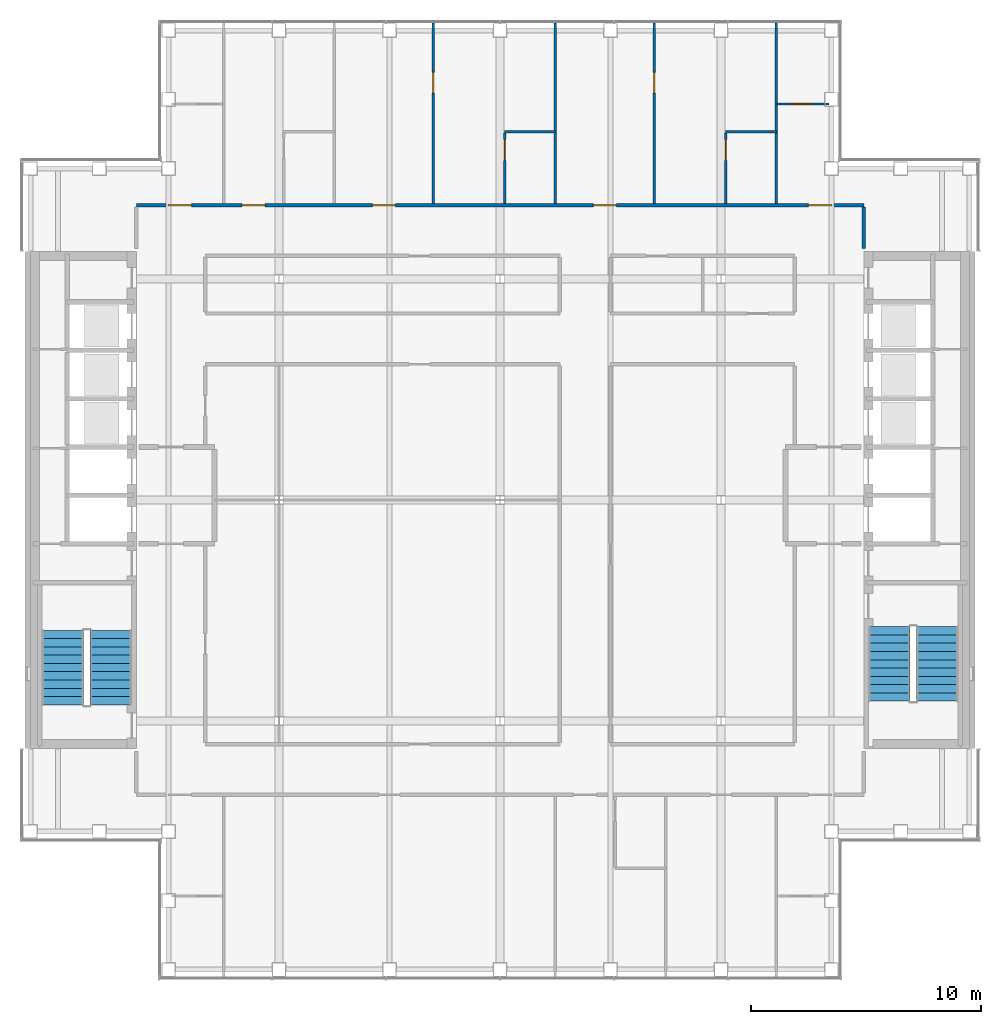
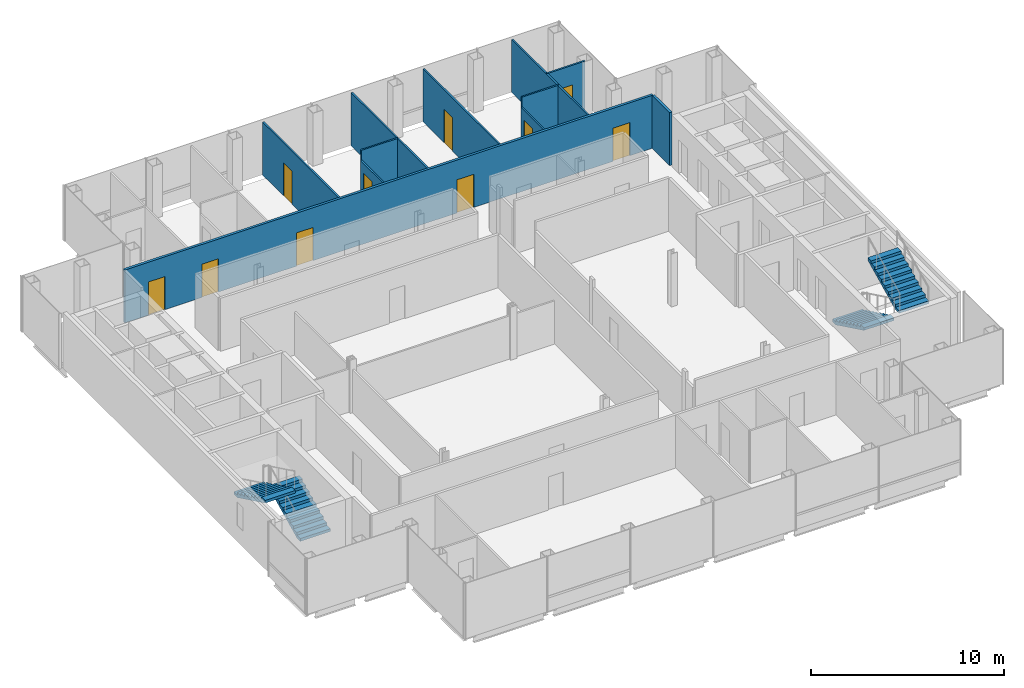
# One storey, part 13 of 15: 11 walls, 10 doors, 4 stair flights, 10 openings, 2 elements without a shape of their own.
"""IFC4 building model written with IfcOpenShell, lengths in metres."""

import ifcopenshell
import ifcopenshell.guid

model = None  # the IFC model being written
_history = None  # IfcOwnerHistory: only IFC2X3 demands one
_inside = {}  # id of a spatial element -> (the spatial element, [elements in it])
_under = {}  # id of a project, library or spatial element -> (it, [spatial elements below it])
_declared = {}  # id of a project -> (the project, [libraries it declares])
_typed = {}  # id of a type object -> (the type object, [elements of that type])
_made_of = {}  # id of a material, layer set ... -> (it, [elements and type objects made of it])


def new_model(schema):
    """Start an empty IFC model of exactly this schema.

    Asked for "IFC4X3", IfcOpenShell would pick the latest addendum, in which some entities
    have other attributes; the version numbers below select the first issue.
    IFC2X3 requires an IfcOwnerHistory on every rooted entity: one is made here for all.
    """
    global model, _history
    if schema == "IFC4X3":
        model = ifcopenshell.file(schema_version=(4, 3, 0, 0))
    else:
        model = ifcopenshell.file(schema=schema)
    _inside.clear()
    _under.clear()
    _declared.clear()
    _typed.clear()
    _made_of.clear()
    _history = None
    if model.schema == "IFC2X3":
        org = make("IfcOrganization", Name="unknown")
        user = make(
            "IfcPersonAndOrganization",
            ThePerson=make("IfcPerson", FamilyName="unknown"),
            TheOrganization=org,
        )
        app = make(
            "IfcApplication",
            ApplicationDeveloper=org,
            Version="unknown",
            ApplicationFullName="unknown",
            ApplicationIdentifier="unknown",
        )
        _history = make(
            "IfcOwnerHistory",
            OwningUser=user,
            OwningApplication=app,
            ChangeAction="ADDED",
            CreationDate=0,
        )
    return model


def make(cls, **values):
    """One entity of the class cls with the attributes given. An attribute that is None is left unset."""
    return model.create_entity(
        cls, **{name: value for name, value in values.items() if value is not None}
    )


def rooted(cls, **values):
    """An entity with a GlobalId (a new one), such as an element, a storey or a relation."""
    return make(cls, GlobalId=ifcopenshell.guid.new(), OwnerHistory=_history, **values)


def si_unit(unit_type, name, prefix=None):
    """IfcSIUnit, for example si_unit("LENGTHUNIT", "METRE", prefix="MILLI")."""
    return make("IfcSIUnit", UnitType=unit_type, Prefix=prefix, Name=name)


def assignment(units):
    """IfcUnitAssignment: the units of a project."""
    return None if units is None else make("IfcUnitAssignment", Units=units)


def point(xyz):
    """IfcCartesianPoint."""
    return None if xyz is None else make("IfcCartesianPoint", Coordinates=xyz)


def direction(xyz):
    """IfcDirection."""
    return None if xyz is None else make("IfcDirection", DirectionRatios=xyz)


def frame(location, z_axis=None, x_axis=None):
    """IfcAxis2Placement3D, a coordinate frame: its origin and axes. An axis left out is left unset."""
    return make(
        "IfcAxis2Placement3D",
        Location=point(location),
        Axis=direction(z_axis),
        RefDirection=direction(x_axis),
    )


def frame_2d(location, x_axis=None):
    """IfcAxis2Placement2D, a coordinate frame in the plane: its origin and x axis."""
    return make(
        "IfcAxis2Placement2D", Location=point(location), RefDirection=direction(x_axis)
    )


def origin():
    """The frame at (0, 0, 0) with its axes left unset."""
    return frame((0.0, 0.0, 0.0))


def place(relative_to, where):
    """IfcLocalPlacement: puts the frame where relative to a parent placement (None: the world)."""
    return make(
        "IfcLocalPlacement", PlacementRelTo=relative_to, RelativePlacement=where
    )


def context(
    kind, dimensions, precision=None, world=None, true_north=None, identifier=None
):
    """IfcGeometricRepresentationContext, for example the 3D "Model" context."""
    return make(
        "IfcGeometricRepresentationContext",
        ContextIdentifier=identifier,
        ContextType=kind,
        CoordinateSpaceDimension=dimensions,
        Precision=precision,
        WorldCoordinateSystem=world,
        TrueNorth=true_north,
    )


def subcontext(parent, identifier, kind, view, scale=None):
    """IfcGeometricRepresentationSubContext, for example "Body" below "Model"."""
    return make(
        "IfcGeometricRepresentationSubContext",
        ContextIdentifier=identifier,
        ContextType=kind,
        ParentContext=parent,
        TargetScale=scale,
        TargetView=view,
    )


def project(units=None, contexts=None):
    """IfcProject with its units and contexts."""
    return rooted(
        "IfcProject",
        Name="project",
        RepresentationContexts=contexts,
        UnitsInContext=assignment(units),
    )


def spatial(cls, under=None, at=None, **own):
    """A site, building, storey or space (cls), placed at a placement, below another one or the project."""
    s = rooted(cls, ObjectPlacement=at, **own)
    if under is not None:
        _under.setdefault(under.id(), (under, []))[1].append(s)
    return s


def polyline(points):
    """IfcPolyline through the points."""
    return make("IfcPolyline", Points=[point(p) for p in points])


def profile(cls, at=None, kind="AREA", **sizes):
    """A parametric profile (cls). Its sizes go by their IFC names, for example OverallWidth=200.0."""
    return make(cls, ProfileType=kind, Position=at, **sizes)


def rectangle(**sizes):
    """IfcRectangleProfileDef."""
    return profile("IfcRectangleProfileDef", **sizes)


def outline(outer, holes=None, kind="AREA"):
    """IfcArbitraryClosedProfileDef: a profile drawn as a closed curve; with holes, ...WithVoids."""
    if holes is None:
        return make("IfcArbitraryClosedProfileDef", ProfileType=kind, OuterCurve=outer)
    return make(
        "IfcArbitraryProfileDefWithVoids",
        ProfileType=kind,
        OuterCurve=outer,
        InnerCurves=holes,
    )


def extrude(swept, where, along, depth):
    """IfcExtrudedAreaSolid: the profile swept, set in the frame where, extruded along a direction by depth."""
    return make(
        "IfcExtrudedAreaSolid",
        SweptArea=swept,
        Position=where,
        ExtrudedDirection=direction(along),
        Depth=depth,
    )


def shape(context_of_items, identifier, shape_type, items):
    """IfcShapeRepresentation: the items that make up one representation, for example the "Body"."""
    return make(
        "IfcShapeRepresentation",
        ContextOfItems=context_of_items,
        RepresentationIdentifier=identifier,
        RepresentationType=shape_type,
        Items=items,
    )


def material(Name=None, Category=None):
    """IfcMaterial."""
    return make("IfcMaterial", Name=Name, Category=Category)


def layer(
    of_material, thickness, ventilated=None, Name=None, Category=None, Priority=None
):
    """IfcMaterialLayer: one layer of a wall or slab, of a material (None: an air gap)."""
    return make(
        "IfcMaterialLayer",
        Material=of_material,
        LayerThickness=thickness,
        IsVentilated=ventilated,
        Name=Name,
        Category=Category,
        Priority=Priority,
    )


def layer_set(layers, Name=None):
    """IfcMaterialLayerSet."""
    return make("IfcMaterialLayerSet", MaterialLayers=layers, LayerSetName=Name)


def made_of(thing, what):
    """Note that an element or type object is made of a material, layer set ...; save() writes the relation."""
    if what is not None:
        _made_of.setdefault(what.id(), (what, []))[1].append(thing)
    return thing


def type_object(cls, material=None, **own):
    """A type object (cls), such as IfcWallType, which elements share."""
    return made_of(rooted(cls, **own), material)


def element(
    cls,
    number,
    at=None,
    inside=None,
    cuts=None,
    type_object=None,
    material=None,
    context=None,
    identifier="Body",
    shape_type=None,
    held_by="IfcProductDefinitionShape",
    body=None,
    shapes=None,
    **own,
):
    """One element of the class cls, such as IfcWall. Its Tag is "e" and its number.

    at: its placement. inside: the storey or other place that contains it. cuts: it is an
    opening in that element (IfcRelVoidsElement). A single representation is given by context,
    identifier, shape_type and body (its items); several are given by shapes. held_by: the class
    of the entity that holds the representations. save() writes the other relations.
    """
    e = rooted(cls, Tag="e%d" % number, ObjectPlacement=at, **own)
    if body is not None:
        shapes = [shape(context, identifier, shape_type, body)]
    if shapes is not None:
        e.Representation = make(held_by, Representations=shapes)
    if inside is not None:
        _inside.setdefault(inside.id(), (inside, []))[1].append(e)
    if cuts is not None:
        rooted(
            "IfcRelVoidsElement", RelatingBuildingElement=cuts, RelatedOpeningElement=e
        )
    if type_object is not None:
        _typed.setdefault(type_object.id(), (type_object, []))[1].append(e)
    return made_of(e, material)


def fill(opening, filler):
    """IfcRelFillsElement: the door or window that sits in an opening."""
    return rooted(
        "IfcRelFillsElement",
        RelatingOpeningElement=opening,
        RelatedBuildingElement=filler,
    )


def aggregate(whole, parts):
    """IfcRelAggregates: a whole, such as a stair, and the parts it consists of."""
    return rooted("IfcRelAggregates", RelatingObject=whole, RelatedObjects=parts)


def save(model, path):
    """Write the relations noted so far, then the file.

    IfcRelAggregates (storeys below a building ...), IfcRelContainedInSpatialStructure (elements
    in a storey), IfcRelDefinesByType, IfcRelAssociatesMaterial and IfcRelDeclares: one each for
    every whole, place, type object, material and project.
    """
    for whole, parts in _under.values():
        aggregate(whole, parts)
    for where, things in _inside.values():
        rooted(
            "IfcRelContainedInSpatialStructure",
            RelatedElements=things,
            RelatingStructure=where,
        )
    for kind, things in _typed.values():
        rooted("IfcRelDefinesByType", RelatedObjects=things, RelatingType=kind)
    for what, things in _made_of.values():
        rooted("IfcRelAssociatesMaterial", RelatedObjects=things, RelatingMaterial=what)
    for by, libraries in _declared.values():
        rooted("IfcRelDeclares", RelatingContext=by, RelatedDefinitions=libraries)
    model.write(path)


model = new_model("IFC4")

# Units and contexts
model_context = context("Model", 3, precision=1e-05, world=origin(), true_north=direction((0.0, 1.0)))
body_context = subcontext(model_context, "Body", "Model", "MODEL_VIEW")
ifc_project = project(units=[si_unit("LENGTHUNIT", "METRE"), si_unit("AREAUNIT", "SQUARE_METRE"), si_unit("VOLUMEUNIT", "CUBIC_METRE"), si_unit("PLANEANGLEUNIT", "RADIAN"), si_unit("MASSUNIT", "GRAM", prefix="KILO")], contexts=[model_context])

# Site, building, storey
site_placement = place(None, origin())
site = spatial("IfcSite", under=ifc_project, at=site_placement, CompositionType="ELEMENT")
building_placement = place(site_placement, origin())
building = spatial("IfcBuilding", under=site, at=building_placement, Name="Cobrizo Arcos Hotel Tower", CompositionType="ELEMENT")
storey_placement = place(building_placement, frame((0.0, 0.0, 251.5)))
storey = spatial("IfcBuildingStorey", under=building, at=storey_placement, Name="L66", CompositionType="ELEMENT", Elevation=251.5)

# Wall, openings, doors
ifc_material_1 = material(Name="Gypsum board partition")
ifc_layer_1 = layer(ifc_material_1, 0.14990234375)
ifc_layer_set_1 = layer_set([ifc_layer_1], Name="Corridor wall EI 60 150")
wall_type_1 = type_object("IfcWallType", Name="Corridor wall EI 60 150", PredefinedType="PARTITIONING", material=ifc_layer_set_1)
wall_1_placement = place(storey_placement, frame((-15.800048828125, 12.800048828125, 0.0), z_axis=(0.0, 0.0, 1.0), x_axis=(1.0, 0.0, 0.0)))
wall_1 = element("IfcWall", 1, at=wall_1_placement, inside=storey, type_object=wall_type_1, Name="Partition 040", PredefinedType="PARTITIONING", context=body_context, shape_type="SweptSolid", body=[
    extrude(rectangle(XDim=31.60009765625, YDim=0.14990234375, at=frame_2d((15.800048828125, 0.0))), origin(), (0.0, 0.0, 1.0), 3.35009765625),
])
opening_1_placement = place(wall_1_placement, frame((4.60009765625, 0.0, 0.0)))
opening_1 = element("IfcOpeningElement", 2, at=opening_1_placement, cuts=wall_1, Name="Opening GD-01", PredefinedType="OPENING", context=body_context, shape_type="SweptSolid", body=[
    extrude(rectangle(XDim=1.0, YDim=2.10009765625, at=frame_2d((0.5, 1.050048828125))), frame((0.0, 0.0869140625, 0.0), z_axis=(0.0, -1.0, 0.0), x_axis=(1.0, 0.0, 0.0)), (0.0, 0.0, 1.0), 0.173828125),
])
opening_2_placement = place(wall_1_placement, frame((10.260009765625, 0.0, 0.0)))
opening_2 = element("IfcOpeningElement", 3, at=opening_2_placement, cuts=wall_1, Name="Opening GD-02", PredefinedType="OPENING", context=body_context, shape_type="SweptSolid", body=[
    extrude(rectangle(XDim=1.0, YDim=2.10009765625, at=frame_2d((0.5, 1.050048828125))), frame((0.0, 0.0869140625, 0.0), z_axis=(0.0, -1.0, 0.0), x_axis=(1.0, 0.0, 0.0)), (0.0, 0.0, 1.0), 0.173828125),
])
opening_3_placement = place(wall_1_placement, frame((19.860107421875, 0.0, 0.0)))
opening_3 = element("IfcOpeningElement", 4, at=opening_3_placement, cuts=wall_1, Name="Opening GD-03", PredefinedType="OPENING", context=body_context, shape_type="SweptSolid", body=[
    extrude(rectangle(XDim=1.0, YDim=2.10009765625, at=frame_2d((0.5, 1.050048828125))), frame((0.0, 0.0869140625, 0.0), z_axis=(0.0, -1.0, 0.0), x_axis=(1.0, 0.0, 0.0)), (0.0, 0.0, 1.0), 0.173828125),
])
opening_4_placement = place(wall_1_placement, frame((1.39990234375, 0.0, 0.0)))
opening_4 = element("IfcOpeningElement", 5, at=opening_4_placement, cuts=wall_1, Name="Opening GD-06", PredefinedType="OPENING", context=body_context, shape_type="SweptSolid", body=[
    extrude(rectangle(XDim=1.0, YDim=2.10009765625, at=frame_2d((0.5, 1.050048828125))), frame((0.0, 0.0869140625, 0.0), z_axis=(0.0, -1.0, 0.0), x_axis=(1.0, 0.0, 0.0)), (0.0, 0.0, 1.0), 0.173828125),
])
opening_5_placement = place(wall_1_placement, frame((29.199951171875, 0.0, 0.0)))
opening_5 = element("IfcOpeningElement", 6, at=opening_5_placement, cuts=wall_1, Name="Opening GD-08", PredefinedType="OPENING", context=body_context, shape_type="SweptSolid", body=[
    extrude(rectangle(XDim=1.0, YDim=2.10009765625, at=frame_2d((0.5, 1.050048828125))), frame((0.0, 0.0869140625, 0.0), z_axis=(0.0, -1.0, 0.0), x_axis=(1.0, 0.0, 0.0)), (0.0, 0.0, 1.0), 0.173828125),
])
ifc_material_2 = material(Name="Timber door leaf", Category="wood")
door_type_1 = type_object("IfcDoorType", Name="Guest room door FD30S 1000x2100", OperationType="SINGLE_SWING_LEFT", PredefinedType="DOOR", material=ifc_material_2)
door_1_placement = place(opening_1_placement, origin())
door_1 = element("IfcDoor", 7, at=door_1_placement, inside=storey, type_object=door_type_1, Name="Door GD-01", OperationType="SINGLE_SWING_RIGHT", OverallHeight=2.10009765625, OverallWidth=1.0, PredefinedType="DOOR", context=body_context, shape_type="SweptSolid", body=[
    extrude(rectangle(XDim=1.0, YDim=2.10009765625, at=frame_2d((0.5, 1.050048828125))), frame((0.0, 0.02490234375, 0.0), z_axis=(0.0, -1.0, 0.0), x_axis=(1.0, 0.0, 0.0)), (0.0, 0.0, 1.0), 0.050048828125),
])
fill(opening_1, door_1)
door_2_placement = place(opening_2_placement, origin())
door_2 = element("IfcDoor", 8, at=door_2_placement, inside=storey, type_object=door_type_1, Name="Door GD-02", OperationType="SINGLE_SWING_RIGHT", OverallHeight=2.10009765625, OverallWidth=1.0, PredefinedType="DOOR", context=body_context, shape_type="SweptSolid", body=[
    extrude(rectangle(XDim=1.0, YDim=2.10009765625, at=frame_2d((0.5, 1.050048828125))), frame((0.0, 0.02490234375, 0.0), z_axis=(0.0, -1.0, 0.0), x_axis=(1.0, 0.0, 0.0)), (0.0, 0.0, 1.0), 0.050048828125),
])
fill(opening_2, door_2)
door_3_placement = place(opening_3_placement, origin())
door_3 = element("IfcDoor", 9, at=door_3_placement, inside=storey, type_object=door_type_1, Name="Door GD-03", OperationType="SINGLE_SWING_RIGHT", OverallHeight=2.10009765625, OverallWidth=1.0, PredefinedType="DOOR", context=body_context, shape_type="SweptSolid", body=[
    extrude(rectangle(XDim=1.0, YDim=2.10009765625, at=frame_2d((0.5, 1.050048828125))), frame((0.0, 0.02490234375, 0.0), z_axis=(0.0, -1.0, 0.0), x_axis=(1.0, 0.0, 0.0)), (0.0, 0.0, 1.0), 0.050048828125),
])
fill(opening_3, door_3)
door_4_placement = place(opening_4_placement, origin())
door_4 = element("IfcDoor", 10, at=door_4_placement, inside=storey, type_object=door_type_1, Name="Door GD-06", OperationType="SINGLE_SWING_RIGHT", OverallHeight=2.10009765625, OverallWidth=1.0, PredefinedType="DOOR", context=body_context, shape_type="SweptSolid", body=[
    extrude(rectangle(XDim=1.0, YDim=2.10009765625, at=frame_2d((0.5, 1.050048828125))), frame((0.0, 0.02490234375, 0.0), z_axis=(0.0, -1.0, 0.0), x_axis=(1.0, 0.0, 0.0)), (0.0, 0.0, 1.0), 0.050048828125),
])
fill(opening_4, door_4)
door_5_placement = place(opening_5_placement, origin())
door_5 = element("IfcDoor", 11, at=door_5_placement, inside=storey, type_object=door_type_1, Name="Door GD-08", OperationType="SINGLE_SWING_RIGHT", OverallHeight=2.10009765625, OverallWidth=1.0, PredefinedType="DOOR", context=body_context, shape_type="SweptSolid", body=[
    extrude(rectangle(XDim=1.0, YDim=2.10009765625, at=frame_2d((0.5, 1.050048828125))), frame((0.0, 0.02490234375, 0.0), z_axis=(0.0, -1.0, 0.0), x_axis=(1.0, 0.0, 0.0)), (0.0, 0.0, 1.0), 0.050048828125),
])
fill(opening_5, door_5)

# Walls
wall_2_placement = place(storey_placement, frame((15.800048828125, 10.919921875, 0.0), z_axis=(0.0, 0.0, 1.0), x_axis=(0.0, 1.0, 0.0)))
element("IfcWall", 12, at=wall_2_placement, inside=storey, type_object=wall_type_1, Name="Partition 090", PredefinedType="PARTITIONING", context=body_context, shape_type="SweptSolid", body=[
    extrude(rectangle(XDim=1.80517578125, YDim=0.14990234375, at=frame_2d((0.902587890625, 0.0))), origin(), (0.0, 0.0, 1.0), 3.35009765625),
])
ifc_layer_2 = layer(ifc_material_1, 0.10009765625)
ifc_layer_set_2 = layer_set([ifc_layer_2], Name="Partition EI 30 100")
wall_type_2 = type_object("IfcWallType", Name="Partition EI 30 100", PredefinedType="PARTITIONING", material=ifc_layer_set_2)
for number, where, z_axis, x_axis, name in (
    (13, (0.199951171875, 16.0, 0.0), (0.0, 0.0, 1.0), (1.0, 0.0, 0.0), "Partition 042"),
    (14, (9.800048828125, 16.0, 0.0), (0.0, 0.0, 1.0), (1.0, 0.0, 0.0), "Partition 043"),
):
    element("IfcWall", number, at=place(storey_placement, frame(where, z_axis=z_axis, x_axis=x_axis)), inside=storey, type_object=wall_type_2, Name=name, PredefinedType="PARTITIONING", context=body_context, shape_type="SweptSolid", body=[
        extrude(rectangle(XDim=2.199951171875, YDim=0.10009765625, at=frame_2d((1.10009765625, 0.0))), origin(), (0.0, 0.0, 1.0), 3.35009765625),
    ])

# Wall, opening, door
wall_3_placement = place(storey_placement, frame((12.0, 17.199951171875, 0.0), z_axis=(0.0, 0.0, 1.0), x_axis=(1.0, 0.0, 0.0)))
wall_3 = element("IfcWall", 15, at=wall_3_placement, inside=storey, type_object=wall_type_2, Name="Partition 045", PredefinedType="PARTITIONING", context=body_context, shape_type="SweptSolid", body=[
    extrude(rectangle(XDim=2.280029296875, YDim=0.10009765625, at=frame_2d((1.14013671875, 0.0))), origin(), (0.0, 0.0, 1.0), 3.35009765625),
])
opening_6_placement = place(wall_3_placement, frame((0.6298828125, 0.0, 0.0)))
opening_6 = element("IfcOpeningElement", 16, at=opening_6_placement, cuts=wall_3, Name="Opening ED-09", PredefinedType="OPENING", context=body_context, shape_type="SweptSolid", body=[
    extrude(rectangle(XDim=0.89990234375, YDim=2.10009765625, at=frame_2d((0.449951171875, 1.050048828125))), frame((0.0, 0.06201171875, 0.0), z_axis=(0.0, -1.0, 0.0), x_axis=(1.0, 0.0, 0.0)), (0.0, 0.0, 1.0), 0.1240234375),
])
door_type_2 = type_object("IfcDoorType", Name="En-suite door 900x2100", OperationType="SINGLE_SWING_LEFT", PredefinedType="DOOR", material=ifc_material_2)
door_6_placement = place(opening_6_placement, origin())
door_6 = element("IfcDoor", 17, at=door_6_placement, inside=storey, type_object=door_type_2, Name="Door ED-09", OperationType="SINGLE_SWING_LEFT", OverallHeight=2.10009765625, OverallWidth=0.89990234375, PredefinedType="DOOR", context=body_context, shape_type="SweptSolid", body=[
    extrude(rectangle(XDim=0.89990234375, YDim=2.10009765625, at=frame_2d((0.449951171875, 1.050048828125))), frame((0.0, 0.02490234375, 0.0), z_axis=(0.0, -1.0, 0.0), x_axis=(1.0, 0.0, 0.0)), (0.0, 0.0, 1.0), 0.050048828125),
])
fill(opening_6, door_6)

wall_4_placement = place(storey_placement, frame((-2.89990234375, 12.875, 0.0), z_axis=(0.0, 0.0, 1.0), x_axis=(0.0, 1.0, 0.0)))
wall_4 = element("IfcWall", 18, at=wall_4_placement, inside=storey, type_object=wall_type_2, Name="Partition 064", PredefinedType="PARTITIONING", context=body_context, shape_type="SweptSolid", body=[
    extrude(rectangle(XDim=7.85498046875, YDim=0.10009765625, at=frame_2d((3.927490234375, 0.0))), origin(), (0.0, 0.0, 1.0), 3.35009765625),
])
opening_7_placement = place(wall_4_placement, frame((4.794921875, 0.0, 0.0)))
opening_7 = element("IfcOpeningElement", 19, at=opening_7_placement, cuts=wall_4, Name="Opening RD-08", PredefinedType="OPENING", context=body_context, shape_type="SweptSolid", body=[
    extrude(rectangle(XDim=0.89990234375, YDim=2.10009765625, at=frame_2d((0.449951171875, 1.050048828125))), frame((0.0, 0.06201171875, 0.0), z_axis=(0.0, -1.0, 0.0), x_axis=(1.0, 0.0, 0.0)), (0.0, 0.0, 1.0), 0.1240234375),
])
door_type_3 = type_object("IfcDoorType", Name="Room door FD30 900x2100", OperationType="SINGLE_SWING_LEFT", PredefinedType="DOOR", material=ifc_material_2)
door_7_placement = place(opening_7_placement, origin())
door_7 = element("IfcDoor", 20, at=door_7_placement, inside=storey, type_object=door_type_3, Name="Door RD-08", OperationType="SINGLE_SWING_RIGHT", OverallHeight=2.10009765625, OverallWidth=0.89990234375, PredefinedType="DOOR", context=body_context, shape_type="SweptSolid", body=[
    extrude(rectangle(XDim=0.89990234375, YDim=2.10009765625, at=frame_2d((0.449951171875, 1.050048828125))), frame((0.0, 0.02490234375, 0.0), z_axis=(0.0, -1.0, 0.0), x_axis=(1.0, 0.0, 0.0)), (0.0, 0.0, 1.0), 0.050048828125),
])
fill(opening_7, door_7)

wall_5_placement = place(storey_placement, frame((0.199951171875, 12.875, 0.0), z_axis=(0.0, 0.0, 1.0), x_axis=(0.0, 1.0, 0.0)))
wall_5 = element("IfcWall", 21, at=wall_5_placement, inside=storey, type_object=wall_type_2, Name="Partition 065", PredefinedType="PARTITIONING", context=body_context, shape_type="SweptSolid", body=[
    extrude(rectangle(XDim=3.074951171875, YDim=0.10009765625, at=frame_2d((1.53759765625, 0.0))), origin(), (0.0, 0.0, 1.0), 2.72802734375),
])
opening_8_placement = place(wall_5_placement, frame((1.875, 0.0, 0.0)))
opening_8 = element("IfcOpeningElement", 22, at=opening_8_placement, cuts=wall_5, Name="Opening ED-03", PredefinedType="OPENING", context=body_context, shape_type="SweptSolid", body=[
    extrude(rectangle(XDim=0.89990234375, YDim=2.10009765625, at=frame_2d((0.449951171875, 1.050048828125))), frame((0.0, 0.06201171875, 0.0), z_axis=(0.0, -1.0, 0.0), x_axis=(1.0, 0.0, 0.0)), (0.0, 0.0, 1.0), 0.1240234375),
])
door_8_placement = place(opening_8_placement, origin())
door_8 = element("IfcDoor", 23, at=door_8_placement, inside=storey, type_object=door_type_2, Name="Door ED-03", OperationType="SINGLE_SWING_RIGHT", OverallHeight=2.10009765625, OverallWidth=0.89990234375, PredefinedType="DOOR", context=body_context, shape_type="SweptSolid", body=[
    extrude(rectangle(XDim=0.89990234375, YDim=2.10009765625, at=frame_2d((0.449951171875, 1.050048828125))), frame((0.0, 0.02490234375, 0.0), z_axis=(0.0, -1.0, 0.0), x_axis=(1.0, 0.0, 0.0)), (0.0, 0.0, 1.0), 0.050048828125),
])
fill(opening_8, door_8)

# Wall
wall_6_placement = place(storey_placement, frame((2.39990234375, 12.875, 0.0), z_axis=(0.0, 0.0, 1.0), x_axis=(0.0, 1.0, 0.0)))
element("IfcWall", 24, at=wall_6_placement, inside=storey, type_object=wall_type_2, Name="Partition 067", PredefinedType="PARTITIONING", context=body_context, shape_type="SweptSolid", body=[
    extrude(rectangle(XDim=7.85498046875, YDim=0.10009765625, at=frame_2d((3.927490234375, 0.0))), origin(), (0.0, 0.0, 1.0), 3.35009765625),
])

# Wall, opening, door
wall_7_placement = place(storey_placement, frame((6.699951171875, 12.875, 0.0), z_axis=(0.0, 0.0, 1.0), x_axis=(0.0, 1.0, 0.0)))
wall_7 = element("IfcWall", 25, at=wall_7_placement, inside=storey, type_object=wall_type_2, Name="Partition 079", PredefinedType="PARTITIONING", context=body_context, shape_type="SweptSolid", body=[
    extrude(rectangle(XDim=7.85498046875, YDim=0.10009765625, at=frame_2d((3.927490234375, 0.0))), origin(), (0.0, 0.0, 1.0), 3.35009765625),
])
opening_9_placement = place(wall_7_placement, frame((4.794921875, 0.0, 0.0)))
opening_9 = element("IfcOpeningElement", 26, at=opening_9_placement, cuts=wall_7, Name="Opening RD-09", PredefinedType="OPENING", context=body_context, shape_type="SweptSolid", body=[
    extrude(rectangle(XDim=0.89990234375, YDim=2.10009765625, at=frame_2d((0.449951171875, 1.050048828125))), frame((0.0, 0.06201171875, 0.0), z_axis=(0.0, -1.0, 0.0), x_axis=(1.0, 0.0, 0.0)), (0.0, 0.0, 1.0), 0.1240234375),
])
door_9_placement = place(opening_9_placement, origin())
door_9 = element("IfcDoor", 27, at=door_9_placement, inside=storey, type_object=door_type_3, Name="Door RD-09", OperationType="SINGLE_SWING_RIGHT", OverallHeight=2.10009765625, OverallWidth=0.89990234375, PredefinedType="DOOR", context=body_context, shape_type="SweptSolid", body=[
    extrude(rectangle(XDim=0.89990234375, YDim=2.10009765625, at=frame_2d((0.449951171875, 1.050048828125))), frame((0.0, 0.02490234375, 0.0), z_axis=(0.0, -1.0, 0.0), x_axis=(1.0, 0.0, 0.0)), (0.0, 0.0, 1.0), 0.050048828125),
])
fill(opening_9, door_9)

wall_8_placement = place(storey_placement, frame((9.800048828125, 12.875, 0.0), z_axis=(0.0, 0.0, 1.0), x_axis=(0.0, 1.0, 0.0)))
wall_8 = element("IfcWall", 28, at=wall_8_placement, inside=storey, type_object=wall_type_2, Name="Partition 082", PredefinedType="PARTITIONING", context=body_context, shape_type="SweptSolid", body=[
    extrude(rectangle(XDim=3.074951171875, YDim=0.10009765625, at=frame_2d((1.53759765625, 0.0))), origin(), (0.0, 0.0, 1.0), 2.72802734375),
])
opening_10_placement = place(wall_8_placement, frame((1.875, 0.0, 0.0)))
opening_10 = element("IfcOpeningElement", 29, at=opening_10_placement, cuts=wall_8, Name="Opening ED-04", PredefinedType="OPENING", context=body_context, shape_type="SweptSolid", body=[
    extrude(rectangle(XDim=0.89990234375, YDim=2.10009765625, at=frame_2d((0.449951171875, 1.050048828125))), frame((0.0, 0.06201171875, 0.0), z_axis=(0.0, -1.0, 0.0), x_axis=(1.0, 0.0, 0.0)), (0.0, 0.0, 1.0), 0.1240234375),
])
door_10_placement = place(opening_10_placement, origin())
door_10 = element("IfcDoor", 30, at=door_10_placement, inside=storey, type_object=door_type_2, Name="Door ED-04", OperationType="SINGLE_SWING_LEFT", OverallHeight=2.10009765625, OverallWidth=0.89990234375, PredefinedType="DOOR", context=body_context, shape_type="SweptSolid", body=[
    extrude(rectangle(XDim=0.89990234375, YDim=2.10009765625, at=frame_2d((0.449951171875, 1.050048828125))), frame((0.0, 0.02490234375, 0.0), z_axis=(0.0, -1.0, 0.0), x_axis=(1.0, 0.0, 0.0)), (0.0, 0.0, 1.0), 0.050048828125),
])
fill(opening_10, door_10)

# Wall
wall_9_placement = place(storey_placement, frame((12.0, 12.875, 0.0), z_axis=(0.0, 0.0, 1.0), x_axis=(0.0, 1.0, 0.0)))
element("IfcWall", 31, at=wall_9_placement, inside=storey, type_object=wall_type_2, Name="Partition 084", PredefinedType="PARTITIONING", context=body_context, shape_type="SweptSolid", body=[
    extrude(rectangle(XDim=7.85498046875, YDim=0.10009765625, at=frame_2d((3.927490234375, 0.0))), origin(), (0.0, 0.0, 1.0), 3.35009765625),
])

# Stair, stair flights
ifc_material_3 = material(Name="Concrete f'c 40 MPa", Category="concrete")
stair_type = type_object("IfcStairType", Name="Exit stair", PredefinedType="HALF_TURN_STAIR", material=ifc_material_3)
stair_1_placement = place(storey_placement, origin())
stair_1 = element("IfcStair", 32, at=stair_1_placement, inside=storey, type_object=stair_type, Name="L66 Exit stair ST-W", PredefinedType="HALF_TURN_STAIR")
stair_flight_type = type_object("IfcStairFlightType", Name="Exit stair flight", PredefinedType="STRAIGHT", material=ifc_material_3)
stair_flight_1_placement = place(storey_placement, frame((-16.89990234375, -8.89990234375, 0.0), z_axis=(0.0, 0.0, 1.0), x_axis=(0.0, 1.0, 0.0)))
stair_flight_1 = element("IfcStairFlight", 33, at=stair_flight_1_placement, type_object=stair_flight_type, Name="ST-W flight 1", NumberOfRisers=10, NumberOfTreads=9, PredefinedType="STRAIGHT", RiserHeight=0.175, TreadLength=0.36, context=body_context, shape_type="SweptSolid", body=[
    extrude(outline(polyline([(0.0, 0.0), (0.0, 0.175048828125), (0.360107421875, 0.175048828125), (0.360107421875, 0.35009765625), (0.719970703125, 0.35009765625), (0.719970703125, 0.52490234375), (1.080078125, 0.52490234375), (1.080078125, 0.699951171875), (1.43994140625, 0.699951171875), (1.43994140625, 0.875), (1.800048828125, 0.875), (1.800048828125, 1.050048828125), (2.159912109375, 1.050048828125), (2.159912109375, 1.22509765625), (2.52001953125, 1.22509765625), (2.52001953125, 1.39990234375), (2.8798828125, 1.39990234375), (2.8798828125, 1.574951171875), (3.239990234375, 1.574951171875), (3.239990234375, 1.75), (3.239990234375, 1.408203125), (0.3427734375, 0.0), (0.0, 0.0)])), frame((0.0, 0.89990234375, 0.0), z_axis=(0.0, -1.0, 0.0), x_axis=(1.0, 0.0, 0.0)), (0.0, 0.0, 1.0), 1.800048828125),
])
stair_flight_2_placement = place(storey_placement, frame((-19.0, -5.659912109375, 1.75), z_axis=(0.0, 0.0, 1.0), x_axis=(0.0, -1.0, 0.0)))
stair_flight_2 = element("IfcStairFlight", 34, at=stair_flight_2_placement, type_object=stair_flight_type, Name="ST-W flight 2", NumberOfRisers=10, NumberOfTreads=9, PredefinedType="STRAIGHT", RiserHeight=0.175, TreadLength=0.36, context=body_context, shape_type="SweptSolid", body=[
    extrude(outline(polyline([(0.0, 0.0), (0.0, 0.175048828125), (0.360107421875, 0.175048828125), (0.360107421875, 0.35009765625), (0.719970703125, 0.35009765625), (0.719970703125, 0.52490234375), (1.080078125, 0.52490234375), (1.080078125, 0.699951171875), (1.43994140625, 0.699951171875), (1.43994140625, 0.875), (1.800048828125, 0.875), (1.800048828125, 1.050048828125), (2.159912109375, 1.050048828125), (2.159912109375, 1.22509765625), (2.52001953125, 1.22509765625), (2.52001953125, 1.39990234375), (2.8798828125, 1.39990234375), (2.8798828125, 1.574951171875), (3.239990234375, 1.574951171875), (3.239990234375, 1.75), (3.239990234375, 1.408203125), (0.3427734375, 0.0), (0.0, 0.0)])), frame((0.0, 0.89990234375, 0.0), z_axis=(0.0, -1.0, 0.0), x_axis=(1.0, 0.0, 0.0)), (0.0, 0.0, 1.0), 1.800048828125),
])
aggregate(stair_1, [stair_flight_1, stair_flight_2])

stair_2_placement = place(storey_placement, origin())
stair_2 = element("IfcStair", 35, at=stair_2_placement, inside=storey, type_object=stair_type, Name="L66 Exit stair ST-E", PredefinedType="HALF_TURN_STAIR")
stair_flight_3_placement = place(storey_placement, frame((16.89990234375, -5.5, 0.0), z_axis=(0.0, 0.0, 1.0), x_axis=(0.0, -1.0, 0.0)))
stair_flight_3 = element("IfcStairFlight", 36, at=stair_flight_3_placement, type_object=stair_flight_type, Name="ST-E flight 1", NumberOfRisers=10, NumberOfTreads=9, PredefinedType="STRAIGHT", RiserHeight=0.175, TreadLength=0.36, context=body_context, shape_type="SweptSolid", body=[
    extrude(outline(polyline([(0.0, 0.0), (0.0, 0.175048828125), (0.360107421875, 0.175048828125), (0.360107421875, 0.35009765625), (0.719970703125, 0.35009765625), (0.719970703125, 0.52490234375), (1.080078125, 0.52490234375), (1.080078125, 0.699951171875), (1.43994140625, 0.699951171875), (1.43994140625, 0.875), (1.800048828125, 0.875), (1.800048828125, 1.050048828125), (2.159912109375, 1.050048828125), (2.159912109375, 1.22509765625), (2.52001953125, 1.22509765625), (2.52001953125, 1.39990234375), (2.8798828125, 1.39990234375), (2.8798828125, 1.574951171875), (3.239990234375, 1.574951171875), (3.239990234375, 1.75), (3.239990234375, 1.408203125), (0.3427734375, 0.0), (0.0, 0.0)])), frame((0.0, 0.89990234375, 0.0), z_axis=(0.0, -1.0, 0.0), x_axis=(1.0, 0.0, 0.0)), (0.0, 0.0, 1.0), 1.800048828125),
])
stair_flight_4_placement = place(storey_placement, frame((19.0, -8.739990234375, 1.75), z_axis=(0.0, 0.0, 1.0), x_axis=(0.0, 1.0, 0.0)))
stair_flight_4 = element("IfcStairFlight", 37, at=stair_flight_4_placement, type_object=stair_flight_type, Name="ST-E flight 2", NumberOfRisers=10, NumberOfTreads=9, PredefinedType="STRAIGHT", RiserHeight=0.175, TreadLength=0.36, context=body_context, shape_type="SweptSolid", body=[
    extrude(outline(polyline([(0.0, 0.0), (0.0, 0.175048828125), (0.360107421875, 0.175048828125), (0.360107421875, 0.35009765625), (0.719970703125, 0.35009765625), (0.719970703125, 0.52490234375), (1.080078125, 0.52490234375), (1.080078125, 0.699951171875), (1.43994140625, 0.699951171875), (1.43994140625, 0.875), (1.800048828125, 0.875), (1.800048828125, 1.050048828125), (2.159912109375, 1.050048828125), (2.159912109375, 1.22509765625), (2.52001953125, 1.22509765625), (2.52001953125, 1.39990234375), (2.8798828125, 1.39990234375), (2.8798828125, 1.574951171875), (3.239990234375, 1.574951171875), (3.239990234375, 1.75), (3.239990234375, 1.408203125), (0.3427734375, 0.0), (0.0, 0.0)])), frame((0.0, 0.89990234375, 0.0), z_axis=(0.0, -1.0, 0.0), x_axis=(1.0, 0.0, 0.0)), (0.0, 0.0, 1.0), 1.800048828125),
])
aggregate(stair_2, [stair_flight_3, stair_flight_4])

save(model, "model.ifc")
